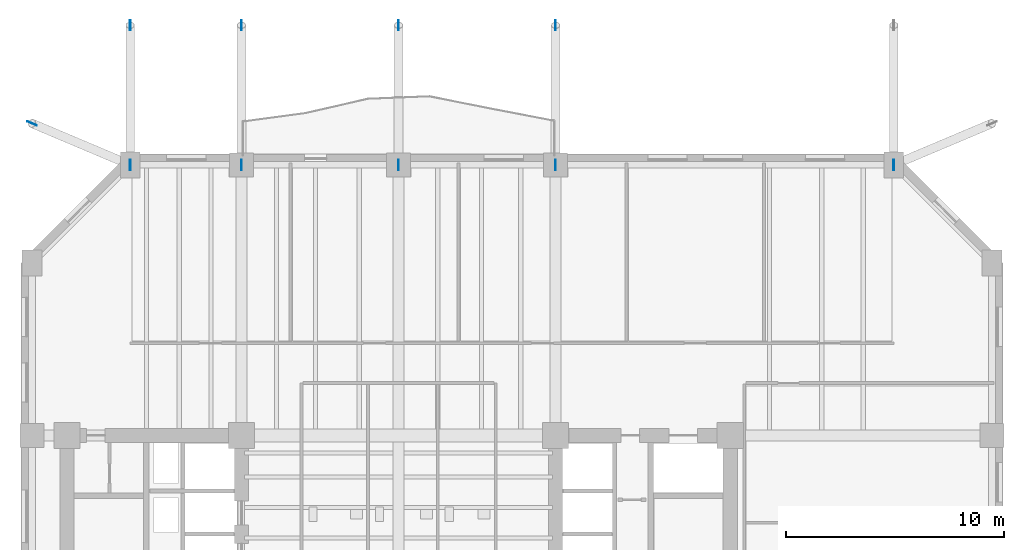
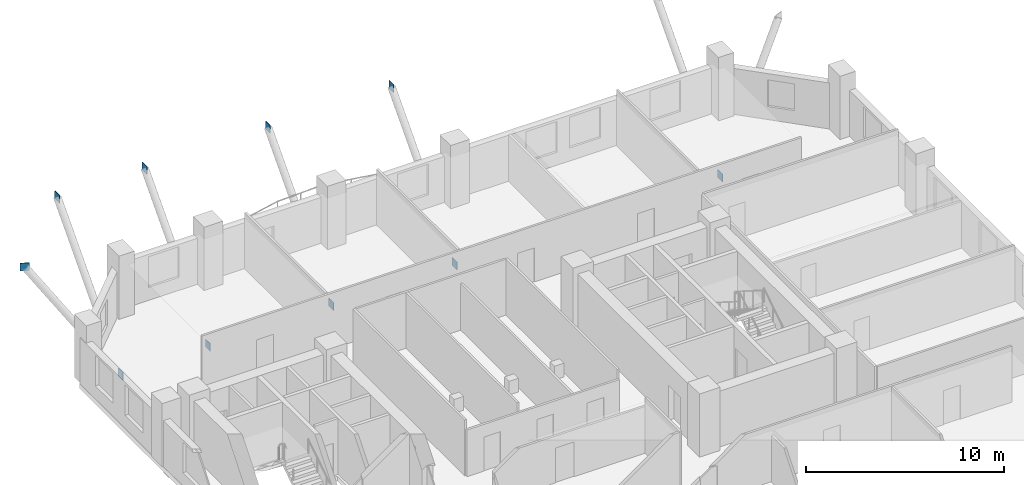
# One storey, part 3 of 12: 10 plates.
"""IFC4 building model written with IfcOpenShell, lengths in metres."""

from ifc_helpers import new_model, si_unit, direction, frame, origin, origin_2d, place, context, subcontext, project, spatial, rectangle, extrude, material, layer, layer_set, type_object, element, save


model = new_model("IFC4")

# Units and contexts
model_context = context("Model", 3, precision=1e-05, world=origin(), true_north=direction((0.0, 1.0)))
body_context = subcontext(model_context, "Body", "Model", "MODEL_VIEW")
ifc_project = project(units=[si_unit("LENGTHUNIT", "METRE"), si_unit("AREAUNIT", "SQUARE_METRE"), si_unit("VOLUMEUNIT", "CUBIC_METRE"), si_unit("PLANEANGLEUNIT", "RADIAN"), si_unit("MASSUNIT", "GRAM", prefix="KILO")], contexts=[model_context])

# Site, building, storey
site_placement = place(None, origin())
site = spatial("IfcSite", under=ifc_project, at=site_placement, CompositionType="ELEMENT")
building_placement = place(site_placement, origin())
building = spatial("IfcBuilding", under=site, at=building_placement, Name="Kranthara Brick Stack", CompositionType="ELEMENT")
storey_placement = place(building_placement, frame((0.0, 0.0, 67.199951171875)))
storey = spatial("IfcBuildingStorey", under=building, at=storey_placement, Name="L16", CompositionType="ELEMENT", Elevation=67.199951171875)

# Plates
ifc_material = material(Name="Steel S355", Category="steel")
ifc_layer = layer(ifc_material, 0.030029296875)
ifc_layer_set = layer_set([ifc_layer], Name="Steel S355")
plate_type = type_object("IfcPlateType", Name="PLT-GUSSET-30", PredefinedType="USERDEFINED", material=ifc_layer_set)
for number, where, z_axis, x_axis, name in (
    (1, (15.699951171875, 46.0, -4.139892578125), (0.0, 0.0, 1.0), (0.0, 1.0, 0.0), "L16 Brace and Strut End Connection Gusset Plate 023"),
    (2, (15.699951171875, 52.39990234375, 2.91015625), (0.0, 0.0, 1.0), (0.0, 1.0, 0.0), "L16 Brace and Strut End Connection Gusset Plate 024"),
    (3, (20.800048828125, 46.0, -4.139892578125), (0.0, 0.0, 1.0), (0.0, 1.0, 0.0), "L16 Brace and Strut End Connection Gusset Plate 025"),
    (4, (20.800048828125, 52.39990234375, 2.91015625), (0.0, 0.0, 1.0), (0.0, 1.0, 0.0), "L16 Brace and Strut End Connection Gusset Plate 026"),
    (5, (28.0, 46.0, -4.139892578125), (0.0, 0.0, 1.0), (0.0, 1.0, 0.0), "L16 Brace and Strut End Connection Gusset Plate 027"),
    (6, (28.0, 52.39990234375, 2.91015625), (0.0, 0.0, 1.0), (0.0, 1.0, 0.0), "L16 Brace and Strut End Connection Gusset Plate 028"),
    (7, (35.199951171875, 46.0, -4.139892578125), (0.0, 0.0, 1.0), (0.0, 1.0, 0.0), "L16 Brace and Strut End Connection Gusset Plate 029"),
    (8, (35.199951171875, 52.39990234375, 2.91015625), (0.0, 0.0, 1.0), (0.0, 1.0, 0.0), "L16 Brace and Strut End Connection Gusset Plate 030"),
    (9, (50.699951171875, 46.0, -4.139892578125), (0.0, 0.0, 1.0), (0.0, 1.0, 0.0), "L16 Brace and Strut End Connection Gusset Plate 031"),
    (10, (11.199951171875, 47.89990234375, 2.91015625), (0.0, 0.0, 1.0), (-0.921185405566, 0.38912395014, 0.0), "L16 Brace and Strut End Connection Gusset Plate 033"),
):
    element("IfcPlate", number, at=place(storey_placement, frame(where, z_axis=z_axis, x_axis=x_axis)), inside=storey, type_object=plate_type, Name=name, ObjectType="GUSSET PLATE", PredefinedType="USERDEFINED", context=body_context, shape_type="SweptSolid", body=[
        extrude(rectangle(XDim=0.47998046875, YDim=0.030029296875, at=origin_2d()), origin(), (0.0, 0.0, 1.0), 0.47998046875),
    ])

save(model, "model.ifc")
